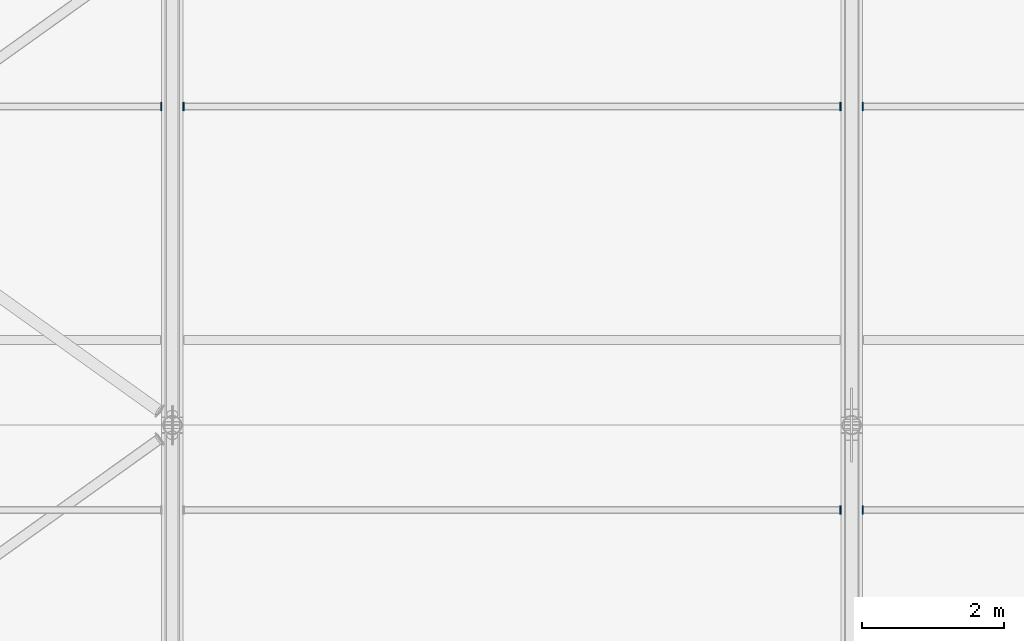
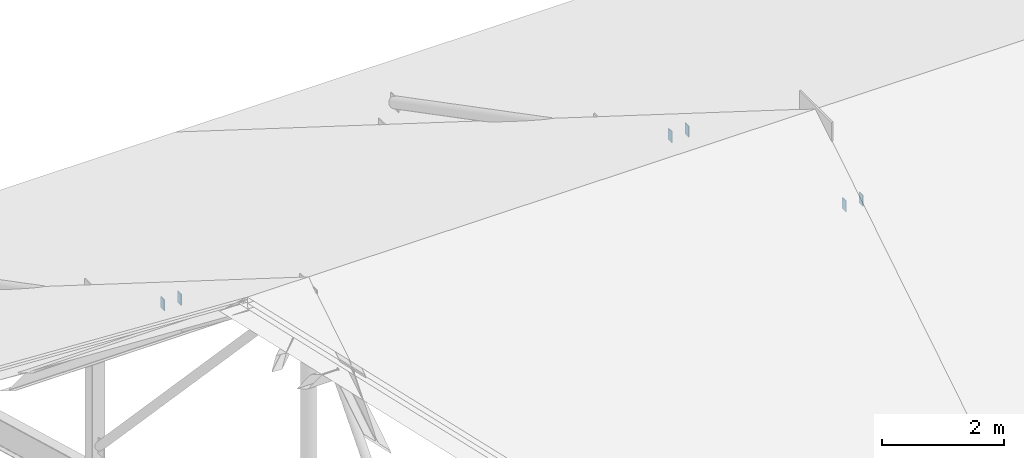
# One storey, part 48 of 66: 6 plates.
"""IFC4 building model written with IfcOpenShell, lengths in metres."""

from ifc_helpers import new_model, si_unit, direction, frame, origin, origin_2d, place, context, subcontext, project, spatial, rectangle, extrude, material, layer, layer_set, type_object, element, save


model = new_model("IFC4")

# Units and contexts
model_context = context("Model", 3, precision=1e-05, world=origin(), true_north=direction((0.0, 1.0)))
body_context = subcontext(model_context, "Body", "Model", "MODEL_VIEW")
ifc_project = project(units=[si_unit("LENGTHUNIT", "METRE"), si_unit("AREAUNIT", "SQUARE_METRE"), si_unit("VOLUMEUNIT", "CUBIC_METRE"), si_unit("PLANEANGLEUNIT", "RADIAN"), si_unit("MASSUNIT", "GRAM", prefix="KILO")], contexts=[model_context])

# Site, building, storey
site_placement = place(None, origin())
site = spatial("IfcSite", under=ifc_project, at=site_placement, CompositionType="ELEMENT")
building_placement = place(site_placement, origin())
building = spatial("IfcBuilding", under=site, at=building_placement, Name="Yeouljin Market Hall", CompositionType="ELEMENT")
storey_placement = place(building_placement, frame((0.0, 0.0, 23.39990234375)))
storey = spatial("IfcBuildingStorey", under=building, at=storey_placement, Name="RF", CompositionType="ELEMENT", Elevation=23.39990234375)

# Plates
ifc_material = material(Name="Steel SM355", Category="steel")
ifc_layer = layer(ifc_material, 0.01611328125)
ifc_layer_set = layer_set([ifc_layer], Name="Steel SM355")
plate_type = type_object("IfcPlateType", Name="CapPlate_220x120x16", PredefinedType="SHEET", material=ifc_layer_set)
for number, where, z_axis, x_axis, name in (
    (1, (112.0419921875, 61.5, -2.11865234375), (0.0, 0.0, 1.0), (0.0, 1.0, 0.0), "Purlin end-cap plate 0188"),
    (2, (121.64208984375, 55.800048828125, -0.0439453125), (0.0, 0.0, 1.0), (0.0, 1.0, 0.0), "Purlin end-cap plate 0210"),
    (3, (112.35791015625, 61.5, -2.11865234375), (0.0, 0.0, 1.0), (0.0, 1.0, 0.0), "Purlin end-cap plate 0211"),
    (4, (121.64208984375, 61.5, -2.11865234375), (0.0, 0.0, 1.0), (0.0, 1.0, 0.0), "Purlin end-cap plate 0212"),
    (5, (121.9580078125, 55.800048828125, -0.0439453125), (0.0, 0.0, 1.0), (0.0, 1.0, 0.0), "Purlin end-cap plate 0221"),
    (6, (121.9580078125, 61.5, -2.11865234375), (0.0, 0.0, 1.0), (0.0, 1.0, 0.0), "Purlin end-cap plate 0223"),
):
    element("IfcPlate", number, at=place(storey_placement, frame(where, z_axis=z_axis, x_axis=x_axis)), inside=storey, type_object=plate_type, Name=name, PredefinedType="SHEET", context=body_context, shape_type="SweptSolid", body=[
        extrude(rectangle(XDim=0.1201171875, YDim=0.01611328125, at=origin_2d()), origin(), (0.0, 0.0, 1.0), 0.219970703125),
    ])

save(model, "model.ifc")
